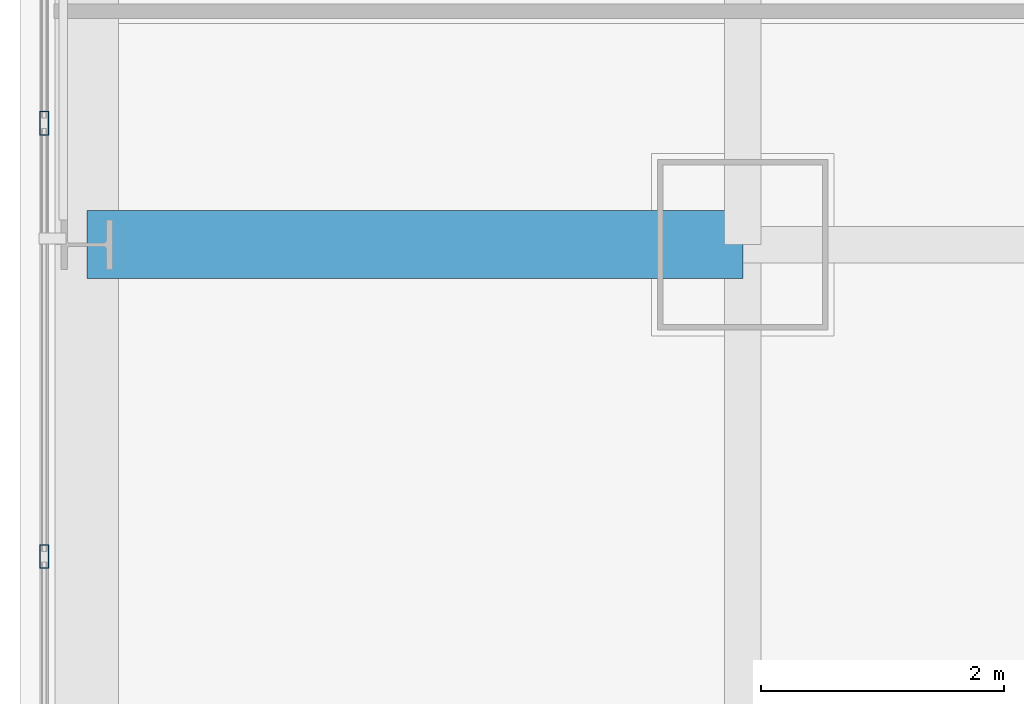
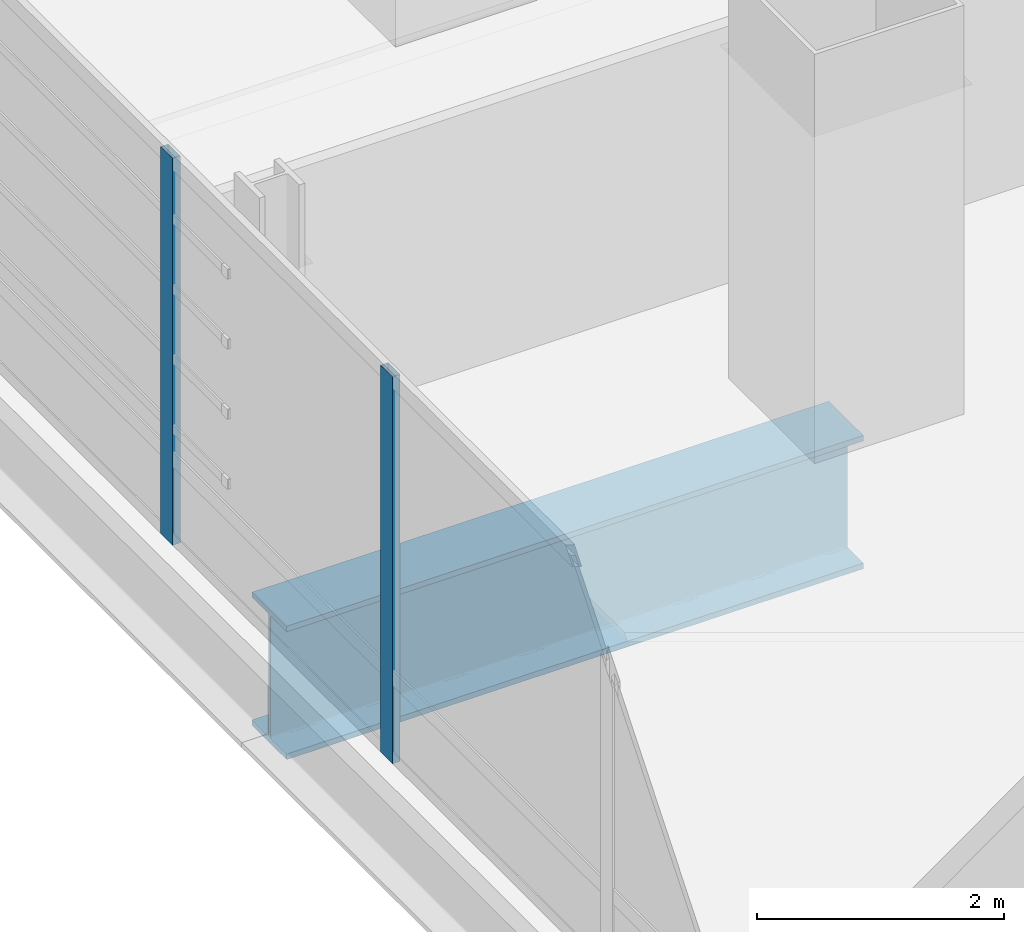
# One storey, part 9 of 36: 2 members, 1 beam, 1 element without a shape of its own.
"""IFC4 building model written with IfcOpenShell, lengths in metres."""

from ifc_helpers import new_model, si_unit, direction, frame, origin, origin_2d, place, context, subcontext, project, spatial, hollow_rectangle, i_section, extrude, material, material_profile, profile_set, type_object, element, aggregate, save


model = new_model("IFC4")

# Units and contexts
model_context = context("Model", 3, precision=1e-05, world=origin(), true_north=direction((0.0, 1.0)))
body_context = subcontext(model_context, "Body", "Model", "MODEL_VIEW")
ifc_project = project(units=[si_unit("LENGTHUNIT", "METRE"), si_unit("AREAUNIT", "SQUARE_METRE"), si_unit("VOLUMEUNIT", "CUBIC_METRE"), si_unit("PLANEANGLEUNIT", "RADIAN"), si_unit("MASSUNIT", "GRAM", prefix="KILO")], contexts=[model_context])

# Site, building, storey
site_placement = place(None, origin())
site = spatial("IfcSite", under=ifc_project, at=site_placement, CompositionType="ELEMENT")
building_placement = place(site_placement, origin())
building = spatial("IfcBuilding", under=site, at=building_placement, Name="Punatoya Terracotta Tower", CompositionType="ELEMENT")
storey_placement = place(building_placement, frame((0.0, 0.0, 176.25)))
storey = spatial("IfcBuildingStorey", under=building, at=storey_placement, Name="L41", CompositionType="ELEMENT", Elevation=176.25)

# Beam
ifc_material_1 = material(Name="Steel S460", Category="steel")
ifc_material_profile_1 = material_profile(ifc_material_1, i_section(OverallWidth=0.56005859375, OverallDepth=1.320068359375, WebThickness=0.035888671875, FlangeThickness=0.054931640625, FilletRadius=0.01806640625, at=origin_2d()))
ifc_profile_set_1 = profile_set([ifc_material_profile_1], Name="Steel S460")
beam_type = type_object("IfcBeamType", Name="BM-TG-BLK", PredefinedType="BEAM", material=ifc_profile_set_1)
beam_placement = place(storey_placement, frame((-24.5, -3.39990234375, -0.8798828125), z_axis=(1.0, 0.0, 0.0), x_axis=(0.0, 1.0, 0.0)))
element("IfcBeam", 1, at=beam_placement, inside=storey, type_object=beam_type, Name="BM-L41-CANT-W2", PredefinedType="BEAM", context=body_context, shape_type="SweptSolid", body=[
    extrude(i_section(OverallWidth=0.56005859375, OverallDepth=1.320068359375, WebThickness=0.035888671875, FlangeThickness=0.054931640625, FilletRadius=0.01806640625, at=origin_2d()), origin(), (0.0, 0.0, 1.0), 5.39990234375),
])

# Curtain wall, members
ifc_material_2 = material(Name="Aluminium 6063-T6 + Double Low-E Glass", Category="aluminium")
curtain_wall_type = type_object("IfcCurtainWallType", Name="CW-M2", PredefinedType="NOTDEFINED", material=ifc_material_2)
curtain_wall_placement = place(storey_placement, origin())
curtain_wall = element("IfcCurtainWall", 2, at=curtain_wall_placement, inside=storey, type_object=curtain_wall_type, Name="L41 Curtain Wall CW-L41-W13-1", PredefinedType="NOTDEFINED")
ifc_material_3 = material(Name="Aluminium 6063-T6", Category="aluminium")
ifc_material_profile_2 = material_profile(ifc_material_3, hollow_rectangle(XDim=0.072021484375, YDim=0.195068359375, WallThickness=0.00439453125, at=origin_2d()))
ifc_profile_set_2 = profile_set([ifc_material_profile_2], Name="Aluminium 6063-T6")
member_type = type_object("IfcMemberType", Name="CW-MUL-M2", PredefinedType="MULLION", material=ifc_profile_set_2)
member_1_placement = place(storey_placement, frame((-24.85009765625, -2.39990234375, 0.0), z_axis=(0.0, 0.0, 1.0), x_axis=(1.0, 0.0, 0.0)))
member_1 = element("IfcMember", 3, at=member_1_placement, type_object=member_type, Name="CW-L41-W13-1 Mullion 05", PredefinedType="MULLION", context=body_context, shape_type="SweptSolid", body=[
    extrude(hollow_rectangle(XDim=0.072021484375, YDim=0.195068359375, WallThickness=0.00439453125, at=origin_2d()), origin(), (0.0, 0.0, 1.0), 3.830078125),
])
member_2_placement = place(storey_placement, frame((-24.85009765625, -5.96728515625, 0.0), z_axis=(0.0, 0.0, 1.0), x_axis=(1.0, 0.0, 0.0)))
member_2 = element("IfcMember", 4, at=member_2_placement, type_object=member_type, Name="CW-L41-W13-1 Mullion 06", PredefinedType="MULLION", context=body_context, shape_type="SweptSolid", body=[
    extrude(hollow_rectangle(XDim=0.072021484375, YDim=0.195068359375, WallThickness=0.00439453125, at=origin_2d()), origin(), (0.0, 0.0, 1.0), 3.830078125),
])
aggregate(curtain_wall, [member_1, member_2])

save(model, "model.ifc")
